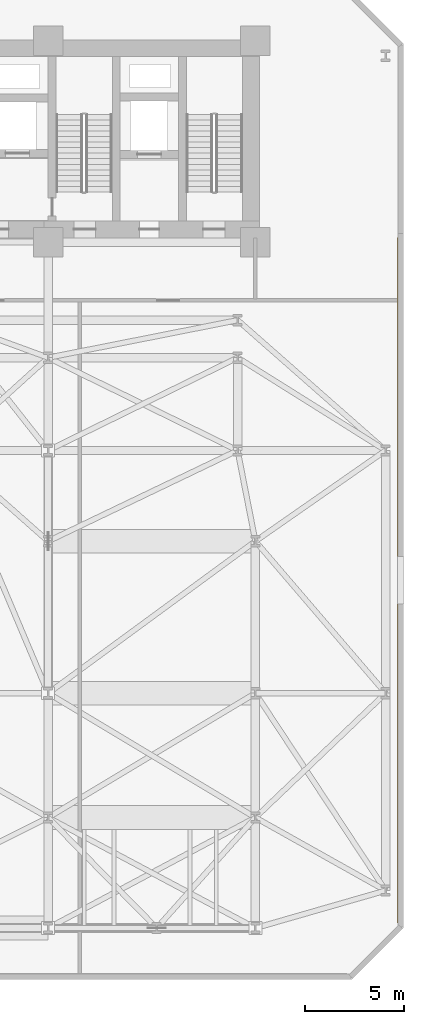
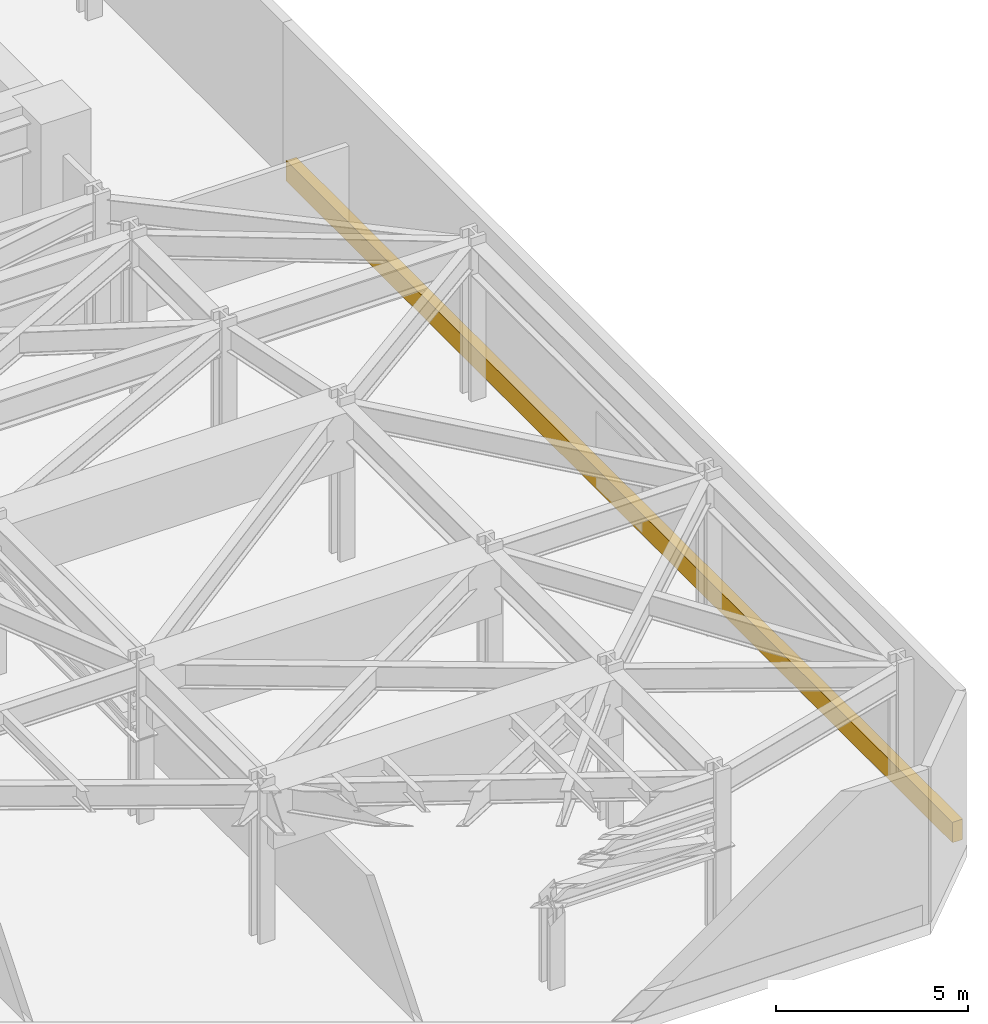
# One storey, part 13 of 14: 1 covering.
"""IFC4 building model written with IfcOpenShell, lengths in metres."""

from ifc_helpers import new_model, si_unit, direction, frame, origin, origin_2d, place, context, subcontext, project, spatial, rectangle, extrude, material, layer, layer_set, type_object, element, save


model = new_model("IFC4")

# Units and contexts
model_context = context("Model", 3, precision=1e-05, world=origin(), true_north=direction((0.0, 1.0)))
body_context = subcontext(model_context, "Body", "Model", "MODEL_VIEW")
ifc_project = project(units=[si_unit("LENGTHUNIT", "METRE"), si_unit("AREAUNIT", "SQUARE_METRE"), si_unit("VOLUMEUNIT", "CUBIC_METRE"), si_unit("PLANEANGLEUNIT", "RADIAN"), si_unit("MASSUNIT", "GRAM", prefix="KILO")], contexts=[model_context])

# Site, building, storey
site_placement = place(None, origin())
site = spatial("IfcSite", under=ifc_project, at=site_placement, CompositionType="ELEMENT")
building_placement = place(site_placement, origin())
building = spatial("IfcBuilding", under=site, at=building_placement, Name="Kravanh Interchange Tower", CompositionType="ELEMENT")
storey_placement = place(building_placement, frame((0.0, 0.0, 24.300048828125)))
storey = spatial("IfcBuildingStorey", under=building, at=storey_placement, Name="L05", CompositionType="ELEMENT", Elevation=24.300048828125)

# Covering
ifc_material = material(Name="Anodised Champagne Bronze Aluminium", Category="aluminium")
ifc_layer = layer(ifc_material, 0.02490234375)
ifc_layer_set = layer_set([ifc_layer], Name="Anodised Bronze Spandrel Fascia Cladding 25mm")
covering_type = type_object("IfcCoveringType", Name="Anodised Bronze Spandrel Fascia Cladding 25mm", PredefinedType="CLADDING", material=ifc_layer_set)
covering_placement = place(storey_placement, frame((73.860107421875, 20.22900390625, 0.02490234375), z_axis=(0.0, 0.0, 1.0), x_axis=(0.0, -1.0, 0.0)))
element("IfcCovering", 1, at=covering_placement, inside=storey, type_object=covering_type, Name="L05 Bronze Fascia Cladding 7", PredefinedType="CLADDING", context=body_context, shape_type="SweptSolid", body=[
    extrude(rectangle(XDim=34.741943359375, YDim=0.31005859375, at=origin_2d()), origin(), (0.0, 0.0, 1.0), 0.64990234375),
])

save(model, "model.ifc")
